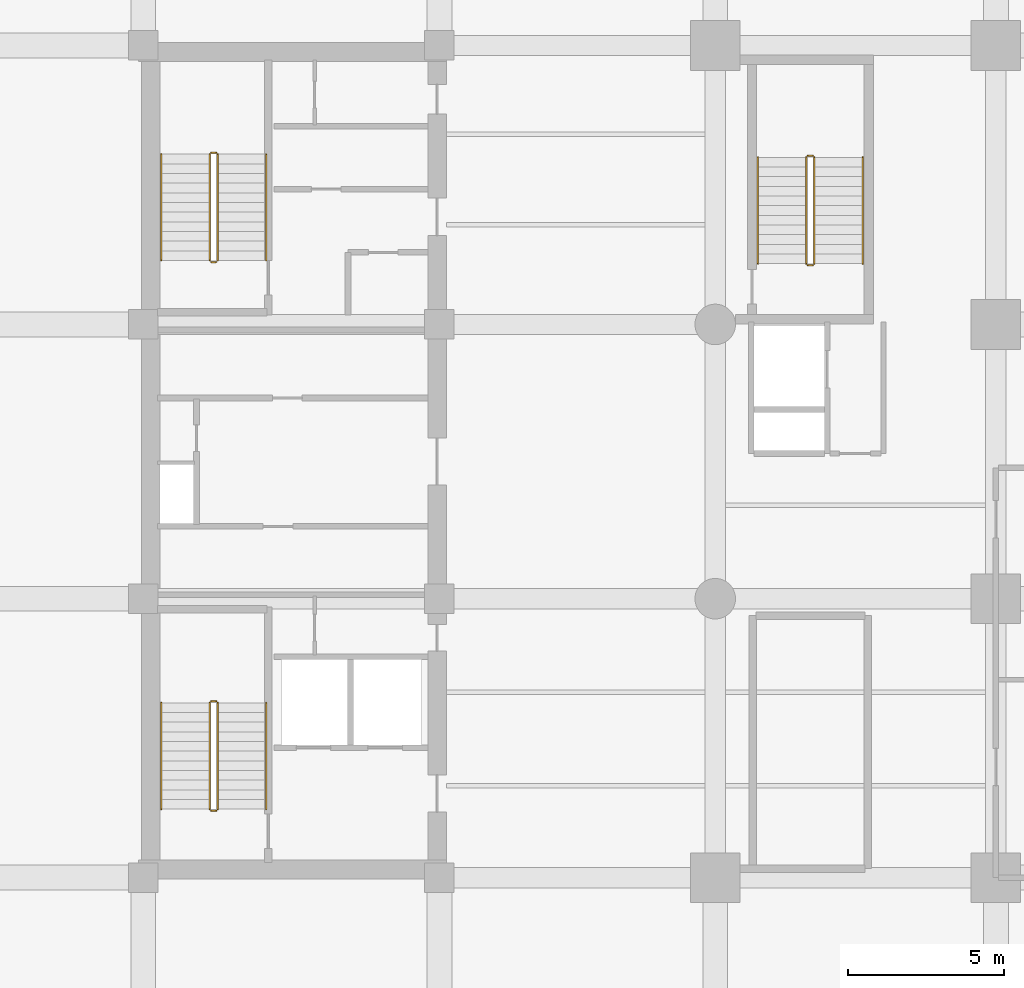
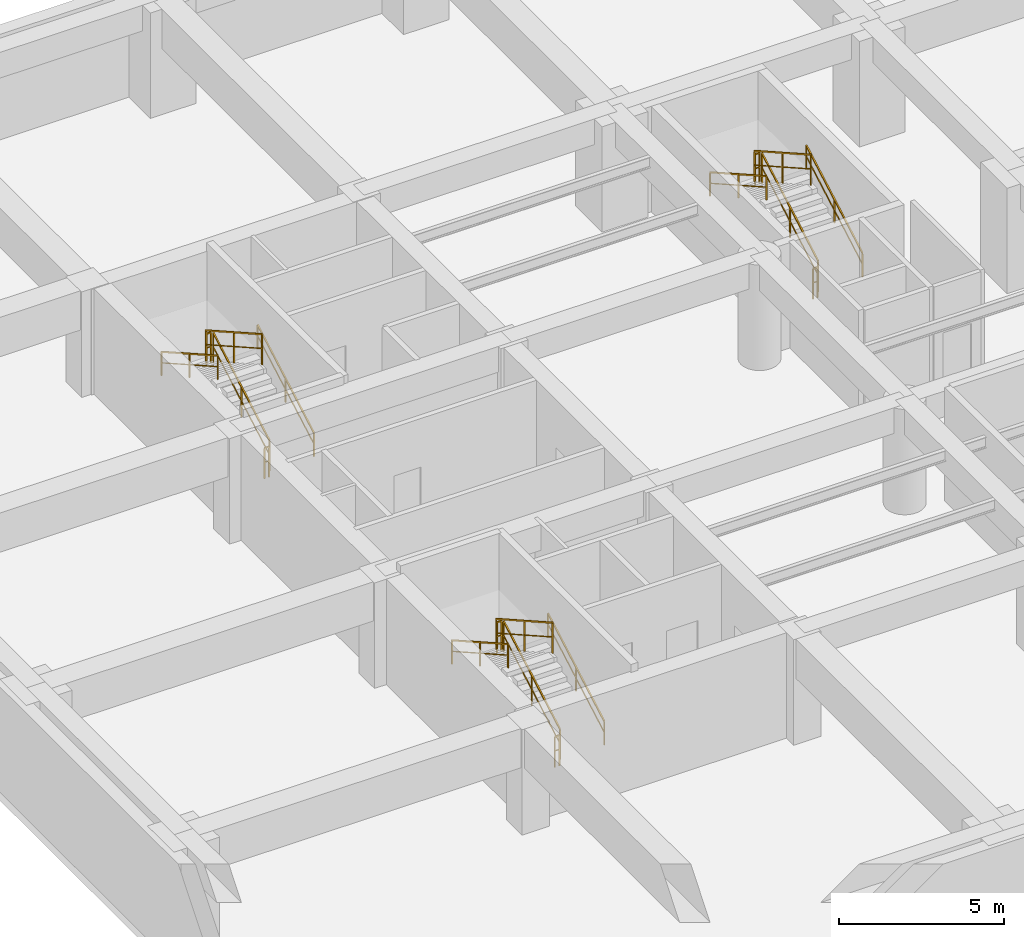
# One storey, part 7 of 7: 18 railings.
"""IFC4 building model written with IfcOpenShell, lengths in metres."""

from ifc_helpers import new_model, si_unit, direction, frame, origin, origin_2d, place, context, subcontext, project, spatial, rectangle, extrude, material, type_object, element, save


model = new_model("IFC4")

# Units and contexts
model_context = context("Model", 3, precision=1e-05, world=origin(), true_north=direction((0.0, 1.0)))
body_context = subcontext(model_context, "Body", "Model", "MODEL_VIEW")
ifc_project = project(units=[si_unit("LENGTHUNIT", "METRE"), si_unit("AREAUNIT", "SQUARE_METRE"), si_unit("VOLUMEUNIT", "CUBIC_METRE"), si_unit("PLANEANGLEUNIT", "RADIAN"), si_unit("MASSUNIT", "GRAM", prefix="KILO")], contexts=[model_context])

# Site, building, storey
site_placement = place(None, origin())
site = spatial("IfcSite", under=ifc_project, at=site_placement, CompositionType="ELEMENT")
building_placement = place(site_placement, origin())
building = spatial("IfcBuilding", under=site, at=building_placement, Name="Kundavana Baori Tower", CompositionType="ELEMENT")
storey_placement = place(building_placement, frame((0.0, 0.0, -4.199951171875)))
storey = spatial("IfcBuildingStorey", under=building, at=storey_placement, Name="B01", CompositionType="ELEMENT", Elevation=-4.199951171875)

# Railings
ifc_material_1 = material(Name="Architectural Patinated Bronze Metalwork")
railing_type_1 = type_object("IfcRailingType", Name="RL-GRD-1150", PredefinedType="GUARDRAIL", material=ifc_material_1)
railing_1_placement = place(storey_placement, frame((17.840087890625, 17.449951171875, 0.175048828125)))
element("IfcRailing", 1, at=railing_1_placement, inside=storey, type_object=railing_type_1, Name="B01 ST1 stair guard 1", PredefinedType="GUARDRAIL", context=body_context, shape_type="SweptSolid", body=[
    extrude(rectangle(XDim=0.048095703125, YDim=0.048095703125, at=origin_2d()), frame((0.0, 0.0, 1.1259765625), z_axis=(0.0, 0.87085530225, 0.491539461837), x_axis=(-1.0, 0.0, 0.0)), (0.0, 0.0, 1.0), 3.915771484375),
    extrude(rectangle(XDim=0.03125, YDim=0.03125, at=origin_2d()), frame((0.0, 0.0, 0.597900390625), z_axis=(0.0, 0.87085530225, 0.491539461837), x_axis=(-1.0, 0.0, 0.0)), (0.0, 0.0, 1.0), 3.915771484375),
    extrude(rectangle(XDim=0.0419921875, YDim=0.0419921875, at=origin_2d()), origin(), (0.0, 0.0, 1.0), 1.101806640625),
    extrude(rectangle(XDim=0.0419921875, YDim=0.0419921875, at=origin_2d()), frame((0.0, 1.705078125, 0.96240234375)), (0.0, 0.0, 1.0), 1.101806640625),
    extrude(rectangle(XDim=0.0419921875, YDim=0.0419921875, at=origin_2d()), frame((0.0, 3.41015625, 1.9248046875)), (0.0, 0.0, 1.0), 1.101806640625),
])
railing_2_placement = place(storey_placement, frame((17.7900390625, 20.909912109375, 2.099853515625)))
element("IfcRailing", 2, at=railing_2_placement, inside=storey, type_object=railing_type_1, Name="B01 ST1 stair guard 2", PredefinedType="GUARDRAIL", context=body_context, shape_type="SweptSolid", body=[
    extrude(rectangle(XDim=0.048095703125, YDim=0.048095703125, at=origin_2d()), frame((0.0, 0.0, 1.1259765625), z_axis=(-1.0, 0.0, 0.0), x_axis=(0.0, -1.0, 0.0)), (0.0, 0.0, 1.0), 0.16015625),
    extrude(rectangle(XDim=0.03125, YDim=0.03125, at=origin_2d()), frame((0.0, 0.0, 0.597900390625), z_axis=(-1.0, 0.0, 0.0), x_axis=(0.0, -1.0, 0.0)), (0.0, 0.0, 1.0), 0.16015625),
    extrude(rectangle(XDim=0.0419921875, YDim=0.0419921875, at=origin_2d()), origin(), (0.0, 0.0, 1.0), 1.101806640625),
    extrude(rectangle(XDim=0.0419921875, YDim=0.0419921875, at=origin_2d()), frame((-0.16015625, 0.0, 0.0)), (0.0, 0.0, 1.0), 1.101806640625),
])
railing_3_placement = place(storey_placement, frame((17.580078125, 20.860107421875, 2.27490234375)))
element("IfcRailing", 3, at=railing_3_placement, inside=storey, type_object=railing_type_1, Name="B01 ST1 stair guard 3", PredefinedType="GUARDRAIL", context=body_context, shape_type="SweptSolid", body=[
    extrude(rectangle(XDim=0.048095703125, YDim=0.048095703125, at=origin_2d()), frame((0.0, 0.0, 1.1259765625), z_axis=(0.0, -0.870828613776, 0.491586742528), x_axis=(1.0, 0.0, 0.0)), (0.0, 0.0, 1.0), 3.916015625),
    extrude(rectangle(XDim=0.03125, YDim=0.03125, at=origin_2d()), frame((0.0, 0.0, 0.597900390625), z_axis=(0.0, -0.870828613776, 0.491586742528), x_axis=(1.0, 0.0, 0.0)), (0.0, 0.0, 1.0), 3.916015625),
    extrude(rectangle(XDim=0.0419921875, YDim=0.0419921875, at=origin_2d()), origin(), (0.0, 0.0, 1.0), 1.101806640625),
    extrude(rectangle(XDim=0.0419921875, YDim=0.0419921875, at=origin_2d()), frame((0.0, -1.705078125, 0.96240234375)), (0.0, 0.0, 1.0), 1.101806640625),
    extrude(rectangle(XDim=0.0419921875, YDim=0.0419921875, at=origin_2d()), frame((0.0, -3.41015625, 1.925048828125)), (0.0, 0.0, 1.0), 1.101806640625),
])
railing_4_placement = place(storey_placement, frame((17.7900390625, 17.39990234375, 0.0)))
element("IfcRailing", 4, at=railing_4_placement, inside=storey, type_object=railing_type_1, Name="B01 ST1 stair guard 4", PredefinedType="GUARDRAIL", context=body_context, shape_type="SweptSolid", body=[
    extrude(rectangle(XDim=0.048095703125, YDim=0.048095703125, at=origin_2d()), frame((0.0, 0.0, 1.1259765625), z_axis=(-1.0, 0.0, 0.0), x_axis=(0.0, -1.0, 0.0)), (0.0, 0.0, 1.0), 0.16015625),
    extrude(rectangle(XDim=0.03125, YDim=0.03125, at=origin_2d()), frame((0.0, 0.0, 0.597900390625), z_axis=(-1.0, 0.0, 0.0), x_axis=(0.0, -1.0, 0.0)), (0.0, 0.0, 1.0), 0.16015625),
    extrude(rectangle(XDim=0.0419921875, YDim=0.0419921875, at=origin_2d()), origin(), (0.0, 0.0, 1.0), 1.101806640625),
    extrude(rectangle(XDim=0.0419921875, YDim=0.0419921875, at=origin_2d()), frame((-0.16015625, 0.0, 0.0)), (0.0, 0.0, 1.0), 1.101806640625),
])
railing_5_placement = place(storey_placement, frame((17.840087890625, 35.050048828125, 0.175048828125)))
element("IfcRailing", 5, at=railing_5_placement, inside=storey, type_object=railing_type_1, Name="B01 ST2 stair guard 1", PredefinedType="GUARDRAIL", context=body_context, shape_type="SweptSolid", body=[
    extrude(rectangle(XDim=0.048095703125, YDim=0.048095703125, at=origin_2d()), frame((0.0, 0.0, 1.1259765625), z_axis=(0.0, 0.870840237431, 0.491566151064), x_axis=(-1.0, 0.0, 0.0)), (0.0, 0.0, 1.0), 3.915771484375),
    extrude(rectangle(XDim=0.03125, YDim=0.03125, at=origin_2d()), frame((0.0, 0.0, 0.597900390625), z_axis=(0.0, 0.870840237431, 0.491566151064), x_axis=(-1.0, 0.0, 0.0)), (0.0, 0.0, 1.0), 3.915771484375),
    extrude(rectangle(XDim=0.0419921875, YDim=0.0419921875, at=origin_2d()), origin(), (0.0, 0.0, 1.0), 1.101806640625),
    extrude(rectangle(XDim=0.0419921875, YDim=0.0419921875, at=origin_2d()), frame((0.0, 1.705078125, 0.96240234375)), (0.0, 0.0, 1.0), 1.101806640625),
    extrude(rectangle(XDim=0.0419921875, YDim=0.0419921875, at=origin_2d()), frame((0.0, 3.409912109375, 1.9248046875)), (0.0, 0.0, 1.0), 1.101806640625),
])
railing_6_placement = place(storey_placement, frame((17.7900390625, 38.510009765625, 2.099853515625)))
element("IfcRailing", 6, at=railing_6_placement, inside=storey, type_object=railing_type_1, Name="B01 ST2 stair guard 2", PredefinedType="GUARDRAIL", context=body_context, shape_type="SweptSolid", body=[
    extrude(rectangle(XDim=0.048095703125, YDim=0.048095703125, at=origin_2d()), frame((0.0, 0.0, 1.1259765625), z_axis=(-1.0, 0.0, 0.0), x_axis=(0.0, -1.0, 0.0)), (0.0, 0.0, 1.0), 0.16015625),
    extrude(rectangle(XDim=0.03125, YDim=0.03125, at=origin_2d()), frame((0.0, 0.0, 0.597900390625), z_axis=(-1.0, 0.0, 0.0), x_axis=(0.0, -1.0, 0.0)), (0.0, 0.0, 1.0), 0.16015625),
    extrude(rectangle(XDim=0.0419921875, YDim=0.0419921875, at=origin_2d()), origin(), (0.0, 0.0, 1.0), 1.101806640625),
    extrude(rectangle(XDim=0.0419921875, YDim=0.0419921875, at=origin_2d()), frame((-0.16015625, 0.0, 0.0)), (0.0, 0.0, 1.0), 1.101806640625),
])
railing_7_placement = place(storey_placement, frame((17.580078125, 38.4599609375, 2.27490234375)))
element("IfcRailing", 7, at=railing_7_placement, inside=storey, type_object=railing_type_1, Name="B01 ST2 stair guard 3", PredefinedType="GUARDRAIL", context=body_context, shape_type="SweptSolid", body=[
    extrude(rectangle(XDim=0.048095703125, YDim=0.048095703125, at=origin_2d()), frame((0.0, 0.0, 1.1259765625), z_axis=(0.0, -0.87081354652, 0.491613432685), x_axis=(1.0, 0.0, 0.0)), (0.0, 0.0, 1.0), 3.915771484375),
    extrude(rectangle(XDim=0.03125, YDim=0.03125, at=origin_2d()), frame((0.0, 0.0, 0.597900390625), z_axis=(0.0, -0.87081354652, 0.491613432685), x_axis=(1.0, 0.0, 0.0)), (0.0, 0.0, 1.0), 3.915771484375),
    extrude(rectangle(XDim=0.0419921875, YDim=0.0419921875, at=origin_2d()), origin(), (0.0, 0.0, 1.0), 1.101806640625),
    extrude(rectangle(XDim=0.0419921875, YDim=0.0419921875, at=origin_2d()), frame((0.0, -1.705078125, 0.96240234375)), (0.0, 0.0, 1.0), 1.101806640625),
    extrude(rectangle(XDim=0.0419921875, YDim=0.0419921875, at=origin_2d()), frame((0.0, -3.409912109375, 1.925048828125)), (0.0, 0.0, 1.0), 1.101806640625),
])
railing_8_placement = place(storey_placement, frame((17.7900390625, 35.0, 0.0)))
element("IfcRailing", 8, at=railing_8_placement, inside=storey, type_object=railing_type_1, Name="B01 ST2 stair guard 4", PredefinedType="GUARDRAIL", context=body_context, shape_type="SweptSolid", body=[
    extrude(rectangle(XDim=0.048095703125, YDim=0.048095703125, at=origin_2d()), frame((0.0, 0.0, 1.1259765625), z_axis=(-1.0, 0.0, 0.0), x_axis=(0.0, -1.0, 0.0)), (0.0, 0.0, 1.0), 0.16015625),
    extrude(rectangle(XDim=0.03125, YDim=0.03125, at=origin_2d()), frame((0.0, 0.0, 0.597900390625), z_axis=(-1.0, 0.0, 0.0), x_axis=(0.0, -1.0, 0.0)), (0.0, 0.0, 1.0), 0.16015625),
    extrude(rectangle(XDim=0.0419921875, YDim=0.0419921875, at=origin_2d()), origin(), (0.0, 0.0, 1.0), 1.101806640625),
    extrude(rectangle(XDim=0.0419921875, YDim=0.0419921875, at=origin_2d()), frame((-0.16015625, 0.0, 0.0)), (0.0, 0.0, 1.0), 1.101806640625),
])
railing_9_placement = place(storey_placement, frame((36.97998046875, 34.949951171875, 0.175048828125)))
element("IfcRailing", 9, at=railing_9_placement, inside=storey, type_object=railing_type_1, Name="B01 ST3 stair guard 1", PredefinedType="GUARDRAIL", context=body_context, shape_type="SweptSolid", body=[
    extrude(rectangle(XDim=0.048095703125, YDim=0.048095703125, at=origin_2d()), frame((0.0, 0.0, 1.1259765625), z_axis=(0.0, 0.87085530225, 0.491539461837), x_axis=(-1.0, 0.0, 0.0)), (0.0, 0.0, 1.0), 3.915771484375),
    extrude(rectangle(XDim=0.03125, YDim=0.03125, at=origin_2d()), frame((0.0, 0.0, 0.597900390625), z_axis=(0.0, 0.87085530225, 0.491539461837), x_axis=(-1.0, 0.0, 0.0)), (0.0, 0.0, 1.0), 3.915771484375),
    extrude(rectangle(XDim=0.0419921875, YDim=0.0419921875, at=origin_2d()), origin(), (0.0, 0.0, 1.0), 1.101806640625),
    extrude(rectangle(XDim=0.0419921875, YDim=0.0419921875, at=origin_2d()), frame((0.0, 1.705078125, 0.96240234375)), (0.0, 0.0, 1.0), 1.101806640625),
    extrude(rectangle(XDim=0.0419921875, YDim=0.0419921875, at=origin_2d()), frame((0.0, 3.41015625, 1.9248046875)), (0.0, 0.0, 1.0), 1.101806640625),
])
railing_10_placement = place(storey_placement, frame((36.929931640625, 38.409912109375, 2.099853515625)))
element("IfcRailing", 10, at=railing_10_placement, inside=storey, type_object=railing_type_1, Name="B01 ST3 stair guard 2", PredefinedType="GUARDRAIL", context=body_context, shape_type="SweptSolid", body=[
    extrude(rectangle(XDim=0.048095703125, YDim=0.048095703125, at=origin_2d()), frame((0.0, 0.0, 1.1259765625), z_axis=(-1.0, 0.0, 0.0), x_axis=(0.0, -1.0, 0.0)), (0.0, 0.0, 1.0), 0.159912109375),
    extrude(rectangle(XDim=0.03125, YDim=0.03125, at=origin_2d()), frame((0.0, 0.0, 0.597900390625), z_axis=(-1.0, 0.0, 0.0), x_axis=(0.0, -1.0, 0.0)), (0.0, 0.0, 1.0), 0.159912109375),
    extrude(rectangle(XDim=0.0419921875, YDim=0.0419921875, at=origin_2d()), origin(), (0.0, 0.0, 1.0), 1.101806640625),
    extrude(rectangle(XDim=0.0419921875, YDim=0.0419921875, at=origin_2d()), frame((-0.159912109375, 0.0, 0.0)), (0.0, 0.0, 1.0), 1.101806640625),
])
railing_11_placement = place(storey_placement, frame((36.719970703125, 38.360107421875, 2.27490234375)))
element("IfcRailing", 11, at=railing_11_placement, inside=storey, type_object=railing_type_1, Name="B01 ST3 stair guard 3", PredefinedType="GUARDRAIL", context=body_context, shape_type="SweptSolid", body=[
    extrude(rectangle(XDim=0.048095703125, YDim=0.048095703125, at=origin_2d()), frame((0.0, 0.0, 1.1259765625), z_axis=(0.0, -0.870828613776, 0.491586742528), x_axis=(1.0, 0.0, 0.0)), (0.0, 0.0, 1.0), 3.916015625),
    extrude(rectangle(XDim=0.03125, YDim=0.03125, at=origin_2d()), frame((0.0, 0.0, 0.597900390625), z_axis=(0.0, -0.870828613776, 0.491586742528), x_axis=(1.0, 0.0, 0.0)), (0.0, 0.0, 1.0), 3.916015625),
    extrude(rectangle(XDim=0.0419921875, YDim=0.0419921875, at=origin_2d()), origin(), (0.0, 0.0, 1.0), 1.101806640625),
    extrude(rectangle(XDim=0.0419921875, YDim=0.0419921875, at=origin_2d()), frame((0.0, -1.705078125, 0.96240234375)), (0.0, 0.0, 1.0), 1.101806640625),
    extrude(rectangle(XDim=0.0419921875, YDim=0.0419921875, at=origin_2d()), frame((0.0, -3.41015625, 1.925048828125)), (0.0, 0.0, 1.0), 1.101806640625),
])
railing_12_placement = place(storey_placement, frame((36.929931640625, 34.89990234375, 0.0)))
element("IfcRailing", 12, at=railing_12_placement, inside=storey, type_object=railing_type_1, Name="B01 ST3 stair guard 4", PredefinedType="GUARDRAIL", context=body_context, shape_type="SweptSolid", body=[
    extrude(rectangle(XDim=0.048095703125, YDim=0.048095703125, at=origin_2d()), frame((0.0, 0.0, 1.1259765625), z_axis=(-1.0, 0.0, 0.0), x_axis=(0.0, -1.0, 0.0)), (0.0, 0.0, 1.0), 0.159912109375),
    extrude(rectangle(XDim=0.03125, YDim=0.03125, at=origin_2d()), frame((0.0, 0.0, 0.597900390625), z_axis=(-1.0, 0.0, 0.0), x_axis=(0.0, -1.0, 0.0)), (0.0, 0.0, 1.0), 0.159912109375),
    extrude(rectangle(XDim=0.0419921875, YDim=0.0419921875, at=origin_2d()), origin(), (0.0, 0.0, 1.0), 1.101806640625),
    extrude(rectangle(XDim=0.0419921875, YDim=0.0419921875, at=origin_2d()), frame((-0.159912109375, 0.0, 0.0)), (0.0, 0.0, 1.0), 1.101806640625),
])
ifc_material_2 = material(Name="Architectural Patinated Bronze Metalwork")
railing_type_2 = type_object("IfcRailingType", Name="RL-HND-920", PredefinedType="HANDRAIL", material=ifc_material_2)
railing_13_placement = place(storey_placement, frame((19.389892578125, 17.449951171875, 0.175048828125)))
element("IfcRailing", 13, at=railing_13_placement, inside=storey, type_object=railing_type_2, Name="B01 ST1 stair handrail 1", PredefinedType="HANDRAIL", context=body_context, shape_type="SweptSolid", body=[
    extrude(rectangle(XDim=0.048095703125, YDim=0.048095703125, at=origin_2d()), frame((0.0, 0.0, 0.8759765625), z_axis=(0.0, 0.87085530225, 0.491539461837), x_axis=(-1.0, 0.0, 0.0)), (0.0, 0.0, 1.0), 3.915771484375),
    extrude(rectangle(XDim=0.03125, YDim=0.03125, at=origin_2d()), frame((0.0, 0.0, 0.468017578125), z_axis=(0.0, 0.87085530225, 0.491539461837), x_axis=(-1.0, 0.0, 0.0)), (0.0, 0.0, 1.0), 3.915771484375),
    extrude(rectangle(XDim=0.0419921875, YDim=0.0419921875, at=origin_2d()), origin(), (0.0, 0.0, 1.0), 0.851806640625),
    extrude(rectangle(XDim=0.0419921875, YDim=0.0419921875, at=origin_2d()), frame((0.0, 1.705078125, 0.96240234375)), (0.0, 0.0, 1.0), 0.851806640625),
    extrude(rectangle(XDim=0.0419921875, YDim=0.0419921875, at=origin_2d()), frame((0.0, 3.41015625, 1.9248046875)), (0.0, 0.0, 1.0), 0.851806640625),
])
railing_14_placement = place(storey_placement, frame((16.030029296875, 20.860107421875, 2.27490234375)))
element("IfcRailing", 14, at=railing_14_placement, inside=storey, type_object=railing_type_2, Name="B01 ST1 stair handrail 2", PredefinedType="HANDRAIL", context=body_context, shape_type="SweptSolid", body=[
    extrude(rectangle(XDim=0.048095703125, YDim=0.048095703125, at=origin_2d()), frame((0.0, 0.0, 0.8759765625), z_axis=(0.0, -0.870828613776, 0.491586742528), x_axis=(1.0, 0.0, 0.0)), (0.0, 0.0, 1.0), 3.916015625),
    extrude(rectangle(XDim=0.03125, YDim=0.03125, at=origin_2d()), frame((0.0, 0.0, 0.468017578125), z_axis=(0.0, -0.870828613776, 0.491586742528), x_axis=(1.0, 0.0, 0.0)), (0.0, 0.0, 1.0), 3.916015625),
    extrude(rectangle(XDim=0.0419921875, YDim=0.0419921875, at=origin_2d()), origin(), (0.0, 0.0, 1.0), 0.851806640625),
    extrude(rectangle(XDim=0.0419921875, YDim=0.0419921875, at=origin_2d()), frame((0.0, -1.705078125, 0.96240234375)), (0.0, 0.0, 1.0), 0.851806640625),
    extrude(rectangle(XDim=0.0419921875, YDim=0.0419921875, at=origin_2d()), frame((0.0, -3.41015625, 1.925048828125)), (0.0, 0.0, 1.0), 0.851806640625),
])
railing_15_placement = place(storey_placement, frame((19.389892578125, 35.050048828125, 0.175048828125)))
element("IfcRailing", 15, at=railing_15_placement, inside=storey, type_object=railing_type_2, Name="B01 ST2 stair handrail 1", PredefinedType="HANDRAIL", context=body_context, shape_type="SweptSolid", body=[
    extrude(rectangle(XDim=0.048095703125, YDim=0.048095703125, at=origin_2d()), frame((0.0, 0.0, 0.8759765625), z_axis=(0.0, 0.870840237431, 0.491566151064), x_axis=(-1.0, 0.0, 0.0)), (0.0, 0.0, 1.0), 3.915771484375),
    extrude(rectangle(XDim=0.03125, YDim=0.03125, at=origin_2d()), frame((0.0, 0.0, 0.468017578125), z_axis=(0.0, 0.870840237431, 0.491566151064), x_axis=(-1.0, 0.0, 0.0)), (0.0, 0.0, 1.0), 3.915771484375),
    extrude(rectangle(XDim=0.0419921875, YDim=0.0419921875, at=origin_2d()), origin(), (0.0, 0.0, 1.0), 0.851806640625),
    extrude(rectangle(XDim=0.0419921875, YDim=0.0419921875, at=origin_2d()), frame((0.0, 1.705078125, 0.96240234375)), (0.0, 0.0, 1.0), 0.851806640625),
    extrude(rectangle(XDim=0.0419921875, YDim=0.0419921875, at=origin_2d()), frame((0.0, 3.409912109375, 1.9248046875)), (0.0, 0.0, 1.0), 0.851806640625),
])
railing_16_placement = place(storey_placement, frame((16.030029296875, 38.4599609375, 2.27490234375)))
element("IfcRailing", 16, at=railing_16_placement, inside=storey, type_object=railing_type_2, Name="B01 ST2 stair handrail 2", PredefinedType="HANDRAIL", context=body_context, shape_type="SweptSolid", body=[
    extrude(rectangle(XDim=0.048095703125, YDim=0.048095703125, at=origin_2d()), frame((0.0, 0.0, 0.8759765625), z_axis=(0.0, -0.87081354652, 0.491613432685), x_axis=(1.0, 0.0, 0.0)), (0.0, 0.0, 1.0), 3.915771484375),
    extrude(rectangle(XDim=0.03125, YDim=0.03125, at=origin_2d()), frame((0.0, 0.0, 0.468017578125), z_axis=(0.0, -0.87081354652, 0.491613432685), x_axis=(1.0, 0.0, 0.0)), (0.0, 0.0, 1.0), 3.915771484375),
    extrude(rectangle(XDim=0.0419921875, YDim=0.0419921875, at=origin_2d()), origin(), (0.0, 0.0, 1.0), 0.851806640625),
    extrude(rectangle(XDim=0.0419921875, YDim=0.0419921875, at=origin_2d()), frame((0.0, -1.705078125, 0.96240234375)), (0.0, 0.0, 1.0), 0.851806640625),
    extrude(rectangle(XDim=0.0419921875, YDim=0.0419921875, at=origin_2d()), frame((0.0, -3.409912109375, 1.925048828125)), (0.0, 0.0, 1.0), 0.851806640625),
])
railing_17_placement = place(storey_placement, frame((38.530029296875, 34.949951171875, 0.175048828125)))
element("IfcRailing", 17, at=railing_17_placement, inside=storey, type_object=railing_type_2, Name="B01 ST3 stair handrail 1", PredefinedType="HANDRAIL", context=body_context, shape_type="SweptSolid", body=[
    extrude(rectangle(XDim=0.048095703125, YDim=0.048095703125, at=origin_2d()), frame((0.0, 0.0, 0.8759765625), z_axis=(0.0, 0.87085530225, 0.491539461837), x_axis=(-1.0, 0.0, 0.0)), (0.0, 0.0, 1.0), 3.915771484375),
    extrude(rectangle(XDim=0.03125, YDim=0.03125, at=origin_2d()), frame((0.0, 0.0, 0.468017578125), z_axis=(0.0, 0.87085530225, 0.491539461837), x_axis=(-1.0, 0.0, 0.0)), (0.0, 0.0, 1.0), 3.915771484375),
    extrude(rectangle(XDim=0.0419921875, YDim=0.0419921875, at=origin_2d()), origin(), (0.0, 0.0, 1.0), 0.851806640625),
    extrude(rectangle(XDim=0.0419921875, YDim=0.0419921875, at=origin_2d()), frame((0.0, 1.705078125, 0.96240234375)), (0.0, 0.0, 1.0), 0.851806640625),
    extrude(rectangle(XDim=0.0419921875, YDim=0.0419921875, at=origin_2d()), frame((0.0, 3.41015625, 1.9248046875)), (0.0, 0.0, 1.0), 0.851806640625),
])
railing_18_placement = place(storey_placement, frame((35.169921875, 38.360107421875, 2.27490234375)))
element("IfcRailing", 18, at=railing_18_placement, inside=storey, type_object=railing_type_2, Name="B01 ST3 stair handrail 2", PredefinedType="HANDRAIL", context=body_context, shape_type="SweptSolid", body=[
    extrude(rectangle(XDim=0.048095703125, YDim=0.048095703125, at=origin_2d()), frame((0.0, 0.0, 0.8759765625), z_axis=(0.0, -0.870828613776, 0.491586742528), x_axis=(1.0, 0.0, 0.0)), (0.0, 0.0, 1.0), 3.916015625),
    extrude(rectangle(XDim=0.03125, YDim=0.03125, at=origin_2d()), frame((0.0, 0.0, 0.468017578125), z_axis=(0.0, -0.870828613776, 0.491586742528), x_axis=(1.0, 0.0, 0.0)), (0.0, 0.0, 1.0), 3.916015625),
    extrude(rectangle(XDim=0.0419921875, YDim=0.0419921875, at=origin_2d()), origin(), (0.0, 0.0, 1.0), 0.851806640625),
    extrude(rectangle(XDim=0.0419921875, YDim=0.0419921875, at=origin_2d()), frame((0.0, -1.705078125, 0.96240234375)), (0.0, 0.0, 1.0), 0.851806640625),
    extrude(rectangle(XDim=0.0419921875, YDim=0.0419921875, at=origin_2d()), frame((0.0, -3.41015625, 1.925048828125)), (0.0, 0.0, 1.0), 0.851806640625),
])

save(model, "model.ifc")
